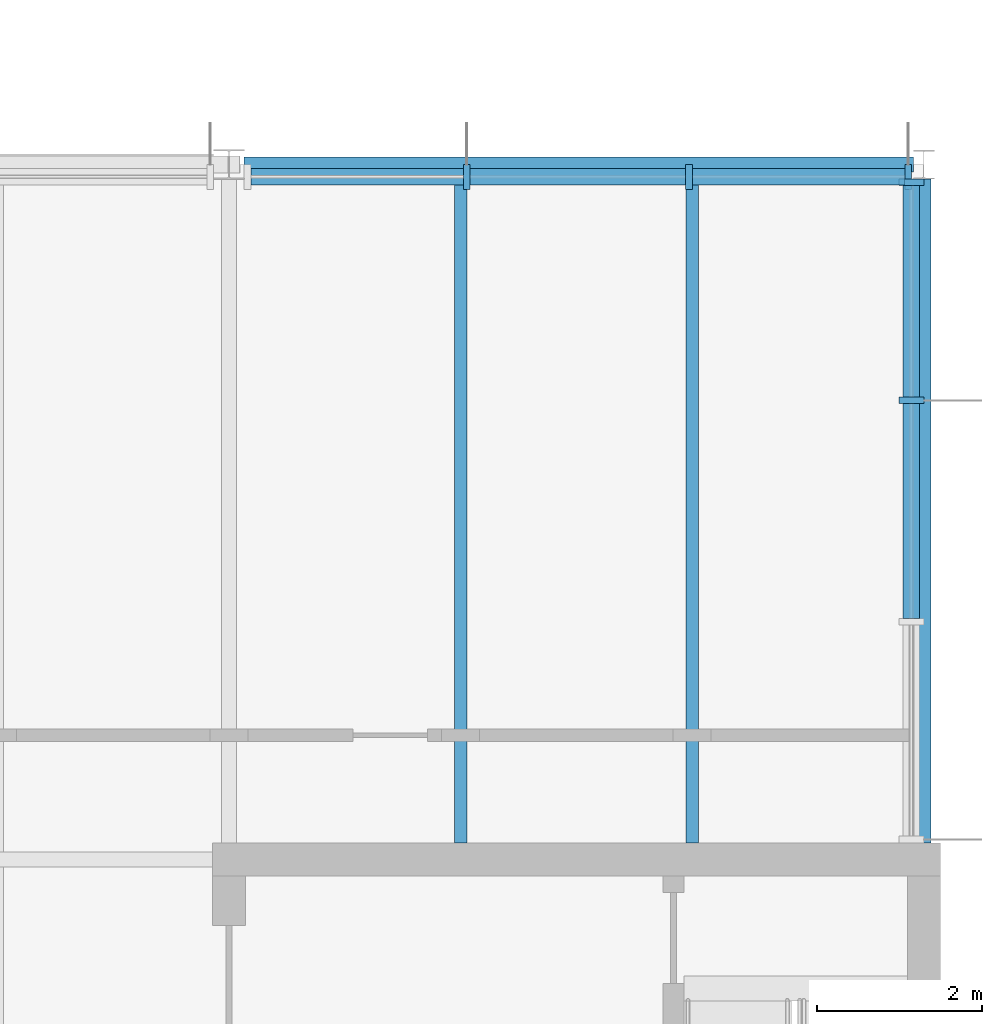
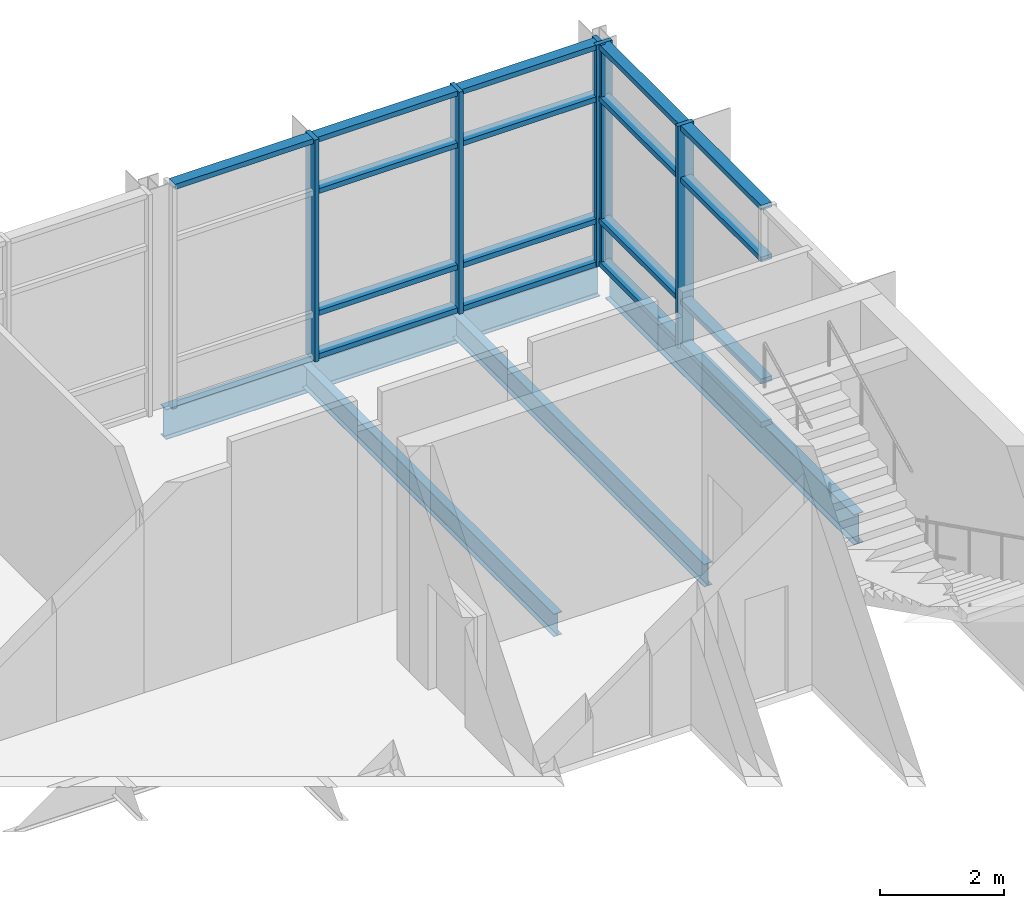
# One storey, part 30 of 72: 22 members, 4 beams, 2 elements without a shape of their own.
"""IFC4 building model written with IfcOpenShell, lengths in metres."""

import ifcopenshell
import ifcopenshell.guid

model = None  # the IFC model being written
_history = None  # IfcOwnerHistory: only IFC2X3 demands one
_inside = {}  # id of a spatial element -> (the spatial element, [elements in it])
_under = {}  # id of a project, library or spatial element -> (it, [spatial elements below it])
_declared = {}  # id of a project -> (the project, [libraries it declares])
_typed = {}  # id of a type object -> (the type object, [elements of that type])
_made_of = {}  # id of a material, layer set ... -> (it, [elements and type objects made of it])


def new_model(schema):
    """Start an empty IFC model of exactly this schema.

    Asked for "IFC4X3", IfcOpenShell would pick the latest addendum, in which some entities
    have other attributes; the version numbers below select the first issue.
    IFC2X3 requires an IfcOwnerHistory on every rooted entity: one is made here for all.
    """
    global model, _history
    if schema == "IFC4X3":
        model = ifcopenshell.file(schema_version=(4, 3, 0, 0))
    else:
        model = ifcopenshell.file(schema=schema)
    _inside.clear()
    _under.clear()
    _declared.clear()
    _typed.clear()
    _made_of.clear()
    _history = None
    if model.schema == "IFC2X3":
        org = make("IfcOrganization", Name="unknown")
        user = make(
            "IfcPersonAndOrganization",
            ThePerson=make("IfcPerson", FamilyName="unknown"),
            TheOrganization=org,
        )
        app = make(
            "IfcApplication",
            ApplicationDeveloper=org,
            Version="unknown",
            ApplicationFullName="unknown",
            ApplicationIdentifier="unknown",
        )
        _history = make(
            "IfcOwnerHistory",
            OwningUser=user,
            OwningApplication=app,
            ChangeAction="ADDED",
            CreationDate=0,
        )
    return model


def make(cls, **values):
    """One entity of the class cls with the attributes given. An attribute that is None is left unset."""
    return model.create_entity(
        cls, **{name: value for name, value in values.items() if value is not None}
    )


def rooted(cls, **values):
    """An entity with a GlobalId (a new one), such as an element, a storey or a relation."""
    return make(cls, GlobalId=ifcopenshell.guid.new(), OwnerHistory=_history, **values)


def si_unit(unit_type, name, prefix=None):
    """IfcSIUnit, for example si_unit("LENGTHUNIT", "METRE", prefix="MILLI")."""
    return make("IfcSIUnit", UnitType=unit_type, Prefix=prefix, Name=name)


def assignment(units):
    """IfcUnitAssignment: the units of a project."""
    return None if units is None else make("IfcUnitAssignment", Units=units)


def point(xyz):
    """IfcCartesianPoint."""
    return None if xyz is None else make("IfcCartesianPoint", Coordinates=xyz)


def direction(xyz):
    """IfcDirection."""
    return None if xyz is None else make("IfcDirection", DirectionRatios=xyz)


def frame(location, z_axis=None, x_axis=None):
    """IfcAxis2Placement3D, a coordinate frame: its origin and axes. An axis left out is left unset."""
    return make(
        "IfcAxis2Placement3D",
        Location=point(location),
        Axis=direction(z_axis),
        RefDirection=direction(x_axis),
    )


def frame_2d(location, x_axis=None):
    """IfcAxis2Placement2D, a coordinate frame in the plane: its origin and x axis."""
    return make(
        "IfcAxis2Placement2D", Location=point(location), RefDirection=direction(x_axis)
    )


def origin():
    """The frame at (0, 0, 0) with its axes left unset."""
    return frame((0.0, 0.0, 0.0))


def origin_2d():
    """The frame at (0, 0) in the plane with its x axis left unset."""
    return frame_2d((0.0, 0.0))


def place(relative_to, where):
    """IfcLocalPlacement: puts the frame where relative to a parent placement (None: the world)."""
    return make(
        "IfcLocalPlacement", PlacementRelTo=relative_to, RelativePlacement=where
    )


def context(
    kind, dimensions, precision=None, world=None, true_north=None, identifier=None
):
    """IfcGeometricRepresentationContext, for example the 3D "Model" context."""
    return make(
        "IfcGeometricRepresentationContext",
        ContextIdentifier=identifier,
        ContextType=kind,
        CoordinateSpaceDimension=dimensions,
        Precision=precision,
        WorldCoordinateSystem=world,
        TrueNorth=true_north,
    )


def subcontext(parent, identifier, kind, view, scale=None):
    """IfcGeometricRepresentationSubContext, for example "Body" below "Model"."""
    return make(
        "IfcGeometricRepresentationSubContext",
        ContextIdentifier=identifier,
        ContextType=kind,
        ParentContext=parent,
        TargetScale=scale,
        TargetView=view,
    )


def project(units=None, contexts=None):
    """IfcProject with its units and contexts."""
    return rooted(
        "IfcProject",
        Name="project",
        RepresentationContexts=contexts,
        UnitsInContext=assignment(units),
    )


def spatial(cls, under=None, at=None, **own):
    """A site, building, storey or space (cls), placed at a placement, below another one or the project."""
    s = rooted(cls, ObjectPlacement=at, **own)
    if under is not None:
        _under.setdefault(under.id(), (under, []))[1].append(s)
    return s


def profile(cls, at=None, kind="AREA", **sizes):
    """A parametric profile (cls). Its sizes go by their IFC names, for example OverallWidth=200.0."""
    return make(cls, ProfileType=kind, Position=at, **sizes)


def rectangle(**sizes):
    """IfcRectangleProfileDef."""
    return profile("IfcRectangleProfileDef", **sizes)


def i_section(**sizes):
    """IfcIShapeProfileDef."""
    return profile("IfcIShapeProfileDef", **sizes)


def extrude(swept, where, along, depth):
    """IfcExtrudedAreaSolid: the profile swept, set in the frame where, extruded along a direction by depth."""
    return make(
        "IfcExtrudedAreaSolid",
        SweptArea=swept,
        Position=where,
        ExtrudedDirection=direction(along),
        Depth=depth,
    )


def shape(context_of_items, identifier, shape_type, items):
    """IfcShapeRepresentation: the items that make up one representation, for example the "Body"."""
    return make(
        "IfcShapeRepresentation",
        ContextOfItems=context_of_items,
        RepresentationIdentifier=identifier,
        RepresentationType=shape_type,
        Items=items,
    )


def material(Name=None, Category=None):
    """IfcMaterial."""
    return make("IfcMaterial", Name=Name, Category=Category)


def material_profile(
    of_material, cross_section, Name=None, Category=None, Priority=None
):
    """IfcMaterialProfile: a cross section and its material."""
    return make(
        "IfcMaterialProfile",
        Name=Name,
        Material=of_material,
        Profile=cross_section,
        Priority=Priority,
        Category=Category,
    )


def profile_set(profiles, Name=None, composite=None):
    """IfcMaterialProfileSet."""
    return make(
        "IfcMaterialProfileSet",
        Name=Name,
        MaterialProfiles=profiles,
        CompositeProfile=composite,
    )


def made_of(thing, what):
    """Note that an element or type object is made of a material, layer set ...; save() writes the relation."""
    if what is not None:
        _made_of.setdefault(what.id(), (what, []))[1].append(thing)
    return thing


def type_object(cls, material=None, **own):
    """A type object (cls), such as IfcWallType, which elements share."""
    return made_of(rooted(cls, **own), material)


def element(
    cls,
    number,
    at=None,
    inside=None,
    cuts=None,
    type_object=None,
    material=None,
    context=None,
    identifier="Body",
    shape_type=None,
    held_by="IfcProductDefinitionShape",
    body=None,
    shapes=None,
    **own,
):
    """One element of the class cls, such as IfcWall. Its Tag is "e" and its number.

    at: its placement. inside: the storey or other place that contains it. cuts: it is an
    opening in that element (IfcRelVoidsElement). A single representation is given by context,
    identifier, shape_type and body (its items); several are given by shapes. held_by: the class
    of the entity that holds the representations. save() writes the other relations.
    """
    e = rooted(cls, Tag="e%d" % number, ObjectPlacement=at, **own)
    if body is not None:
        shapes = [shape(context, identifier, shape_type, body)]
    if shapes is not None:
        e.Representation = make(held_by, Representations=shapes)
    if inside is not None:
        _inside.setdefault(inside.id(), (inside, []))[1].append(e)
    if cuts is not None:
        rooted(
            "IfcRelVoidsElement", RelatingBuildingElement=cuts, RelatedOpeningElement=e
        )
    if type_object is not None:
        _typed.setdefault(type_object.id(), (type_object, []))[1].append(e)
    return made_of(e, material)


def aggregate(whole, parts):
    """IfcRelAggregates: a whole, such as a stair, and the parts it consists of."""
    return rooted("IfcRelAggregates", RelatingObject=whole, RelatedObjects=parts)


def save(model, path):
    """Write the relations noted so far, then the file.

    IfcRelAggregates (storeys below a building ...), IfcRelContainedInSpatialStructure (elements
    in a storey), IfcRelDefinesByType, IfcRelAssociatesMaterial and IfcRelDeclares: one each for
    every whole, place, type object, material and project.
    """
    for whole, parts in _under.values():
        aggregate(whole, parts)
    for where, things in _inside.values():
        rooted(
            "IfcRelContainedInSpatialStructure",
            RelatedElements=things,
            RelatingStructure=where,
        )
    for kind, things in _typed.values():
        rooted("IfcRelDefinesByType", RelatedObjects=things, RelatingType=kind)
    for what, things in _made_of.values():
        rooted("IfcRelAssociatesMaterial", RelatedObjects=things, RelatingMaterial=what)
    for by, libraries in _declared.values():
        rooted("IfcRelDeclares", RelatingContext=by, RelatedDefinitions=libraries)
    model.write(path)


model = new_model("IFC4")

# Units and contexts
model_context = context("Model", 3, precision=1e-05, world=origin(), true_north=direction((0.0, 1.0)))
body_context = subcontext(model_context, "Body", "Model", "MODEL_VIEW")
ifc_project = project(units=[si_unit("LENGTHUNIT", "METRE"), si_unit("AREAUNIT", "SQUARE_METRE"), si_unit("VOLUMEUNIT", "CUBIC_METRE"), si_unit("PLANEANGLEUNIT", "RADIAN"), si_unit("MASSUNIT", "GRAM", prefix="KILO")], contexts=[model_context])

# Site, building, storey
site_placement = place(None, origin())
site = spatial("IfcSite", under=ifc_project, at=site_placement, CompositionType="ELEMENT")
building_placement = place(site_placement, origin())
building = spatial("IfcBuilding", under=site, at=building_placement, Name="Hlaing Beacon Police Headquarters", CompositionType="ELEMENT")
storey_placement = place(building_placement, frame((0.0, 0.0, 14.39990234375)))
storey = spatial("IfcBuildingStorey", under=building, at=storey_placement, Name="L03", CompositionType="ELEMENT", Elevation=14.39990234375)

# Beams
ifc_material_1 = material(Name="Steel ASTM A992 Grade 50", Category="steel")
ifc_material_profile_1 = material_profile(ifc_material_1, i_section(OverallWidth=0.177978515625, OverallDepth=0.599365234375, WebThickness=0.010009765625, FlangeThickness=0.012939453125, FilletRadius=0.012939453125, at=origin_2d()), Name="W24x55")
ifc_profile_set_1 = profile_set([ifc_material_profile_1], Name="Steel ASTM A992 Grade 50")
beam_type_1 = type_object("IfcBeamType", Name="Girder W24x55", PredefinedType="BEAM", material=ifc_profile_set_1)
beam_1_placement = place(storey_placement, frame((126.18505859375, 92.39990234375, -0.4296875), z_axis=(1.0, 0.0, 0.0), x_axis=(0.0, 1.0, 0.0)))
element("IfcBeam", 1, at=beam_1_placement, inside=storey, type_object=beam_type_1, Name="STR-BM-L03-GX-R12-S12", PredefinedType="BEAM", context=body_context, shape_type="SweptSolid", body=[
    extrude(i_section(OverallWidth=0.177978515625, OverallDepth=0.599365234375, WebThickness=0.010009765625, FlangeThickness=0.012939453125, FilletRadius=0.012939453125, at=origin_2d()), origin(), (0.0, 0.0, 1.0), 8.087890625),
])
beam_2_placement = place(storey_placement, frame((134.39990234375, 84.199951171875, -0.4296875), z_axis=(0.0, 1.0, 0.0), x_axis=(-1.0, 0.0, 0.0)))
element("IfcBeam", 2, at=beam_2_placement, inside=storey, type_object=beam_type_1, Name="STR-BM-L03-GY-S11-S12", PredefinedType="BEAM", context=body_context, shape_type="SweptSolid", body=[
    extrude(i_section(OverallWidth=0.177978515625, OverallDepth=0.599365234375, WebThickness=0.010009765625, FlangeThickness=0.012939453125, FilletRadius=0.012939453125, at=origin_2d()), origin(), (0.0, 0.0, 1.0), 8.02197265625),
])

# Curtain wall, members
ifc_material_2 = material(Name="Aluminium frame with solar control glazing", Category="aluminium")
curtain_wall_type_1 = type_object("IfcCurtainWallType", Name="Structural glazed gable wall 8.02 x 4.37", PredefinedType="NOTDEFINED", material=ifc_material_2)
curtain_wall_1_placement = place(storey_placement, origin())
curtain_wall_1 = element("IfcCurtainWall", 3, at=curtain_wall_1_placement, inside=storey, type_object=curtain_wall_type_1, Name="ENV-CW-L03-E027", PredefinedType="NOTDEFINED")
ifc_material_3 = material(Name="Aluminium", Category="aluminium")
ifc_material_profile_2 = material_profile(ifc_material_3, rectangle(XDim=0.300048828125, YDim=0.080078125, at=origin_2d()), Name="Mullion 80x300")
ifc_profile_set_2 = profile_set([ifc_material_profile_2], Name="Aluminium")
member_type_1 = type_object("IfcMemberType", Name="Mullion 80x300", PredefinedType="MULLION", material=ifc_profile_set_2)
member_1_placement = place(storey_placement, frame((134.25, 89.549072265625, 0.0), z_axis=(0.0, 0.0, 1.0), x_axis=(-1.0, 0.0, 0.0)))
member_1 = element("IfcMember", 4, at=member_1_placement, type_object=member_type_1, Name="CW-L03-E027 mullion 3", PredefinedType="MULLION", context=body_context, shape_type="SweptSolid", body=[
    extrude(rectangle(XDim=0.300048828125, YDim=0.080078125, at=origin_2d()), origin(), (0.0, 0.0, 1.0), 4.3701171875),
])
member_2_placement = place(storey_placement, frame((134.25, 92.18359375, 0.0), z_axis=(0.0, 0.0, 1.0), x_axis=(-1.0, 0.0, 0.0)))
member_2 = element("IfcMember", 5, at=member_2_placement, type_object=member_type_1, Name="CW-L03-E027 mullion 4", PredefinedType="MULLION", context=body_context, shape_type="SweptSolid", body=[
    extrude(rectangle(XDim=0.300048828125, YDim=0.080078125, at=origin_2d()), origin(), (0.0, 0.0, 1.0), 4.3701171875),
])

ifc_material_4 = material(Name="Aluminium frame with solar control glazing", Category="aluminium")
curtain_wall_type_2 = type_object("IfcCurtainWallType", Name="Structural glazed gable wall 8.06 x 4.37", PredefinedType="NOTDEFINED", material=ifc_material_4)
curtain_wall_2_placement = place(storey_placement, origin())
curtain_wall_2 = element("IfcCurtainWall", 6, at=curtain_wall_2_placement, inside=storey, type_object=curtain_wall_type_2, Name="ENV-CW-L03-N028", PredefinedType="NOTDEFINED")
member_3_placement = place(storey_placement, frame((134.2099609375, 92.25, 0.0), z_axis=(0.0, 0.0, 1.0), x_axis=(0.0, -1.0, 0.0)))
member_3 = element("IfcMember", 7, at=member_3_placement, type_object=member_type_1, Name="CW-L03-N028 mullion 1", PredefinedType="MULLION", context=body_context, shape_type="SweptSolid", body=[
    extrude(rectangle(XDim=0.300048828125, YDim=0.080078125, at=origin_2d()), origin(), (0.0, 0.0, 1.0), 4.3701171875),
])
member_4_placement = place(storey_placement, frame((131.561767578125, 92.25, 0.0), z_axis=(0.0, 0.0, 1.0), x_axis=(0.0, -1.0, 0.0)))
member_4 = element("IfcMember", 8, at=member_4_placement, type_object=member_type_1, Name="CW-L03-N028 mullion 2", PredefinedType="MULLION", context=body_context, shape_type="SweptSolid", body=[
    extrude(rectangle(XDim=0.300048828125, YDim=0.080078125, at=origin_2d()), origin(), (0.0, 0.0, 1.0), 4.3701171875),
])
member_5_placement = place(storey_placement, frame((128.87353515625, 92.25, 0.0), z_axis=(0.0, 0.0, 1.0), x_axis=(0.0, -1.0, 0.0)))
member_5 = element("IfcMember", 9, at=member_5_placement, type_object=member_type_1, Name="CW-L03-N028 mullion 3", PredefinedType="MULLION", context=body_context, shape_type="SweptSolid", body=[
    extrude(rectangle(XDim=0.300048828125, YDim=0.080078125, at=origin_2d()), origin(), (0.0, 0.0, 1.0), 4.3701171875),
])

# Beams
ifc_material_5 = material(Name="Steel ASTM A992 Grade 50", Category="steel")
ifc_material_profile_3 = material_profile(ifc_material_5, i_section(OverallWidth=0.15234375, OverallDepth=0.449462890625, WebThickness=0.007568359375, FlangeThickness=0.0107421875, FilletRadius=0.01025390625, at=origin_2d()), Name="W18x35")
ifc_profile_set_3 = profile_set([ifc_material_profile_3], Name="Steel ASTM A992 Grade 50")
beam_type_2 = type_object("IfcBeamType", Name="Secondary beam W18x35", PredefinedType="BEAM", material=ifc_profile_set_3)
for number, where, z_axis, x_axis, name in (
    (10, (128.800048828125, 84.199951171875, -0.354736328125), (0.0, 1.0, 0.0), (-1.0, 0.0, 0.0), "STR-BM-L03-SB-R11-y1"),
    (11, (131.60009765625, 84.199951171875, -0.354736328125), (0.0, 1.0, 0.0), (-1.0, 0.0, 0.0), "STR-BM-L03-SB-R11-y2"),
):
    element("IfcBeam", number, at=place(storey_placement, frame(where, z_axis=z_axis, x_axis=x_axis)), inside=storey, type_object=beam_type_2, Name=name, PredefinedType="BEAM", context=body_context, shape_type="SweptSolid", body=[
        extrude(i_section(OverallWidth=0.15234375, OverallDepth=0.449462890625, WebThickness=0.007568359375, FlangeThickness=0.0107421875, FilletRadius=0.01025390625, at=origin_2d()), origin(), (0.0, 0.0, 1.0), 8.111083984375),
    ])

# Member
ifc_material_6 = material(Name="Aluminium", Category="aluminium")
ifc_material_profile_4 = material_profile(ifc_material_6, rectangle(XDim=0.199951171875, YDim=0.10009765625, at=origin_2d()), Name="Transom 200x100")
ifc_profile_set_4 = profile_set([ifc_material_profile_4], Name="Aluminium")
member_type_2 = type_object("IfcMemberType", Name="Transom 200x100", PredefinedType="USERDEFINED", material=ifc_profile_set_4)
member_6_placement = place(storey_placement, frame((134.25, 86.91455078125, 0.050048828125), z_axis=(0.0, 1.0, 0.0), x_axis=(-1.0, 0.0, 0.0)))
member_6 = element("IfcMember", 12, at=member_6_placement, type_object=member_type_2, Name="CW-L03-E027 transom 2.1", ObjectType="TRANSOM", PredefinedType="USERDEFINED", context=body_context, shape_type="SweptSolid", body=[
    extrude(rectangle(XDim=0.199951171875, YDim=0.10009765625, at=origin_2d()), origin(), (0.0, 0.0, 1.0), 2.594482421875),
])

member_7_placement = place(storey_placement, frame((134.25, 86.91455078125, 0.900146484375), z_axis=(0.0, 1.0, 0.0), x_axis=(-1.0, 0.0, 0.0)))
member_7 = element("IfcMember", 13, at=member_7_placement, type_object=member_type_2, Name="CW-L03-E027 transom 2.2", ObjectType="TRANSOM", PredefinedType="USERDEFINED", context=body_context, shape_type="SweptSolid", body=[
    extrude(rectangle(XDim=0.199951171875, YDim=0.10009765625, at=origin_2d()), origin(), (0.0, 0.0, 1.0), 2.594482421875),
])

member_8_placement = place(storey_placement, frame((134.25, 86.91455078125, 3.300048828125), z_axis=(0.0, 1.0, 0.0), x_axis=(-1.0, 0.0, 0.0)))
member_8 = element("IfcMember", 14, at=member_8_placement, type_object=member_type_2, Name="CW-L03-E027 transom 2.3", ObjectType="TRANSOM", PredefinedType="USERDEFINED", context=body_context, shape_type="SweptSolid", body=[
    extrude(rectangle(XDim=0.199951171875, YDim=0.10009765625, at=origin_2d()), origin(), (0.0, 0.0, 1.0), 2.594482421875),
])

member_9_placement = place(storey_placement, frame((134.25, 86.91455078125, 4.320068359375), z_axis=(0.0, 1.0, 0.0), x_axis=(-1.0, 0.0, 0.0)))
member_9 = element("IfcMember", 15, at=member_9_placement, type_object=member_type_2, Name="CW-L03-E027 transom 2.4", ObjectType="TRANSOM", PredefinedType="USERDEFINED", context=body_context, shape_type="SweptSolid", body=[
    extrude(rectangle(XDim=0.199951171875, YDim=0.10009765625, at=origin_2d()), origin(), (0.0, 0.0, 1.0), 2.594482421875),
])

member_10_placement = place(storey_placement, frame((134.25, 89.589111328125, 0.050048828125), z_axis=(0.0, 1.0, 0.0), x_axis=(-1.0, 0.0, 0.0)))
member_10 = element("IfcMember", 16, at=member_10_placement, type_object=member_type_2, Name="CW-L03-E027 transom 3.1", ObjectType="TRANSOM", PredefinedType="USERDEFINED", context=body_context, shape_type="SweptSolid", body=[
    extrude(rectangle(XDim=0.199951171875, YDim=0.10009765625, at=origin_2d()), origin(), (0.0, 0.0, 1.0), 2.554443359375),
])

member_11_placement = place(storey_placement, frame((134.25, 89.589111328125, 0.900146484375), z_axis=(0.0, 1.0, 0.0), x_axis=(-1.0, 0.0, 0.0)))
member_11 = element("IfcMember", 17, at=member_11_placement, type_object=member_type_2, Name="CW-L03-E027 transom 3.2", ObjectType="TRANSOM", PredefinedType="USERDEFINED", context=body_context, shape_type="SweptSolid", body=[
    extrude(rectangle(XDim=0.199951171875, YDim=0.10009765625, at=origin_2d()), origin(), (0.0, 0.0, 1.0), 2.554443359375),
])

member_12_placement = place(storey_placement, frame((134.25, 89.589111328125, 3.300048828125), z_axis=(0.0, 1.0, 0.0), x_axis=(-1.0, 0.0, 0.0)))
member_12 = element("IfcMember", 18, at=member_12_placement, type_object=member_type_2, Name="CW-L03-E027 transom 3.3", ObjectType="TRANSOM", PredefinedType="USERDEFINED", context=body_context, shape_type="SweptSolid", body=[
    extrude(rectangle(XDim=0.199951171875, YDim=0.10009765625, at=origin_2d()), origin(), (0.0, 0.0, 1.0), 2.554443359375),
])

member_13_placement = place(storey_placement, frame((134.25, 89.589111328125, 4.320068359375), z_axis=(0.0, 1.0, 0.0), x_axis=(-1.0, 0.0, 0.0)))
member_13 = element("IfcMember", 19, at=member_13_placement, type_object=member_type_2, Name="CW-L03-E027 transom 3.4", ObjectType="TRANSOM", PredefinedType="USERDEFINED", context=body_context, shape_type="SweptSolid", body=[
    extrude(rectangle(XDim=0.199951171875, YDim=0.10009765625, at=origin_2d()), origin(), (0.0, 0.0, 1.0), 2.554443359375),
])

aggregate(curtain_wall_1, [member_1, member_2, member_6, member_7, member_8, member_9, member_10, member_11, member_12, member_13])

member_14_placement = place(storey_placement, frame((134.169921875, 92.25, 0.050048828125), z_axis=(-1.0, 0.0, 0.0), x_axis=(0.0, -1.0, 0.0)))
member_14 = element("IfcMember", 20, at=member_14_placement, type_object=member_type_2, Name="CW-L03-N028 transom 1.1", ObjectType="TRANSOM", PredefinedType="USERDEFINED", context=body_context, shape_type="SweptSolid", body=[
    extrude(rectangle(XDim=0.199951171875, YDim=0.10009765625, at=origin_2d()), origin(), (0.0, 0.0, 1.0), 2.568115234375),
])

member_15_placement = place(storey_placement, frame((134.169921875, 92.25, 0.900146484375), z_axis=(-1.0, 0.0, 0.0), x_axis=(0.0, -1.0, 0.0)))
member_15 = element("IfcMember", 21, at=member_15_placement, type_object=member_type_2, Name="CW-L03-N028 transom 1.2", ObjectType="TRANSOM", PredefinedType="USERDEFINED", context=body_context, shape_type="SweptSolid", body=[
    extrude(rectangle(XDim=0.199951171875, YDim=0.10009765625, at=origin_2d()), origin(), (0.0, 0.0, 1.0), 2.568115234375),
])

member_16_placement = place(storey_placement, frame((134.169921875, 92.25, 3.300048828125), z_axis=(-1.0, 0.0, 0.0), x_axis=(0.0, -1.0, 0.0)))
member_16 = element("IfcMember", 22, at=member_16_placement, type_object=member_type_2, Name="CW-L03-N028 transom 1.3", ObjectType="TRANSOM", PredefinedType="USERDEFINED", context=body_context, shape_type="SweptSolid", body=[
    extrude(rectangle(XDim=0.199951171875, YDim=0.10009765625, at=origin_2d()), origin(), (0.0, 0.0, 1.0), 2.568115234375),
])

member_17_placement = place(storey_placement, frame((134.169921875, 92.25, 4.320068359375), z_axis=(-1.0, 0.0, 0.0), x_axis=(0.0, -1.0, 0.0)))
member_17 = element("IfcMember", 23, at=member_17_placement, type_object=member_type_2, Name="CW-L03-N028 transom 1.4", ObjectType="TRANSOM", PredefinedType="USERDEFINED", context=body_context, shape_type="SweptSolid", body=[
    extrude(rectangle(XDim=0.199951171875, YDim=0.10009765625, at=origin_2d()), origin(), (0.0, 0.0, 1.0), 2.568115234375),
])

member_18_placement = place(storey_placement, frame((131.521728515625, 92.25, 0.050048828125), z_axis=(-1.0, 0.0, 0.0), x_axis=(0.0, -1.0, 0.0)))
member_18 = element("IfcMember", 24, at=member_18_placement, type_object=member_type_2, Name="CW-L03-N028 transom 2.1", ObjectType="TRANSOM", PredefinedType="USERDEFINED", context=body_context, shape_type="SweptSolid", body=[
    extrude(rectangle(XDim=0.199951171875, YDim=0.10009765625, at=origin_2d()), origin(), (0.0, 0.0, 1.0), 2.608154296875),
])

member_19_placement = place(storey_placement, frame((131.521728515625, 92.25, 0.900146484375), z_axis=(-1.0, 0.0, 0.0), x_axis=(0.0, -1.0, 0.0)))
member_19 = element("IfcMember", 25, at=member_19_placement, type_object=member_type_2, Name="CW-L03-N028 transom 2.2", ObjectType="TRANSOM", PredefinedType="USERDEFINED", context=body_context, shape_type="SweptSolid", body=[
    extrude(rectangle(XDim=0.199951171875, YDim=0.10009765625, at=origin_2d()), origin(), (0.0, 0.0, 1.0), 2.608154296875),
])

member_20_placement = place(storey_placement, frame((131.521728515625, 92.25, 3.300048828125), z_axis=(-1.0, 0.0, 0.0), x_axis=(0.0, -1.0, 0.0)))
member_20 = element("IfcMember", 26, at=member_20_placement, type_object=member_type_2, Name="CW-L03-N028 transom 2.3", ObjectType="TRANSOM", PredefinedType="USERDEFINED", context=body_context, shape_type="SweptSolid", body=[
    extrude(rectangle(XDim=0.199951171875, YDim=0.10009765625, at=origin_2d()), origin(), (0.0, 0.0, 1.0), 2.608154296875),
])

member_21_placement = place(storey_placement, frame((131.521728515625, 92.25, 4.320068359375), z_axis=(-1.0, 0.0, 0.0), x_axis=(0.0, -1.0, 0.0)))
member_21 = element("IfcMember", 27, at=member_21_placement, type_object=member_type_2, Name="CW-L03-N028 transom 2.4", ObjectType="TRANSOM", PredefinedType="USERDEFINED", context=body_context, shape_type="SweptSolid", body=[
    extrude(rectangle(XDim=0.199951171875, YDim=0.10009765625, at=origin_2d()), origin(), (0.0, 0.0, 1.0), 2.608154296875),
])

member_22_placement = place(storey_placement, frame((128.83349609375, 92.25, 4.320068359375), z_axis=(-1.0, 0.0, 0.0), x_axis=(0.0, -1.0, 0.0)))
member_22 = element("IfcMember", 28, at=member_22_placement, type_object=member_type_2, Name="CW-L03-N028 transom 3.4", ObjectType="TRANSOM", PredefinedType="USERDEFINED", context=body_context, shape_type="SweptSolid", body=[
    extrude(rectangle(XDim=0.199951171875, YDim=0.10009765625, at=origin_2d()), origin(), (0.0, 0.0, 1.0), 2.568115234375),
])

aggregate(curtain_wall_2, [member_3, member_4, member_5, member_14, member_15, member_16, member_17, member_18, member_19, member_20, member_21, member_22])

save(model, "model.ifc")
